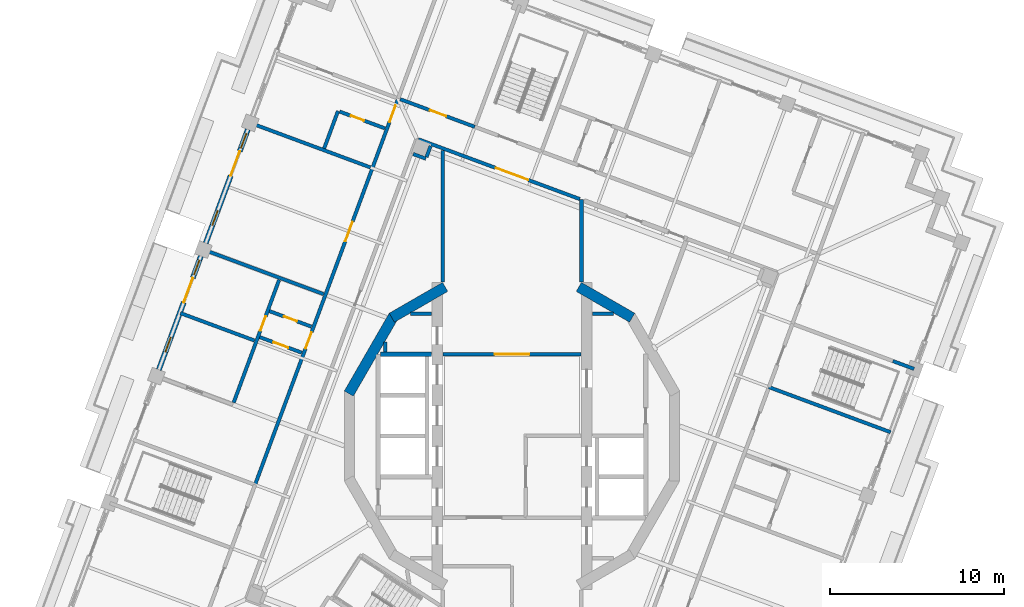
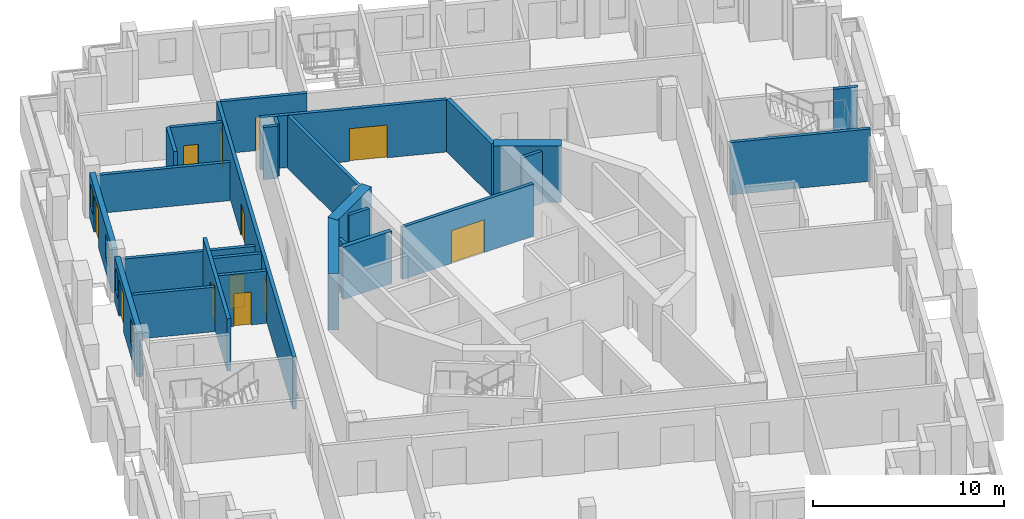
# One storey, part 7 of 18: 27 walls, 12 doors, 4 windows, 16 openings.
"""IFC4 building model written with IfcOpenShell, lengths in metres."""

from ifc_helpers import new_model, si_unit, direction, frame, frame_2d, origin, place, context, subcontext, project, spatial, rectangle, extrude, material, layer, layer_set, type_object, element, fill, save


model = new_model("IFC4")

# Units and contexts
model_context = context("Model", 3, precision=1e-05, world=origin(), true_north=direction((0.0, 1.0)))
body_context = subcontext(model_context, "Body", "Model", "MODEL_VIEW")
ifc_project = project(units=[si_unit("LENGTHUNIT", "METRE"), si_unit("AREAUNIT", "SQUARE_METRE"), si_unit("VOLUMEUNIT", "CUBIC_METRE"), si_unit("PLANEANGLEUNIT", "RADIAN"), si_unit("MASSUNIT", "GRAM", prefix="KILO")], contexts=[model_context])

# Site, building, storey
site_placement = place(None, origin())
site = spatial("IfcSite", under=ifc_project, at=site_placement, CompositionType="ELEMENT")
building_placement = place(site_placement, origin())
building = spatial("IfcBuilding", under=site, at=building_placement, Name="Cantera Rosa Tower", CompositionType="ELEMENT")
storey_placement = place(building_placement, frame((0.0, 0.0, 316.89990234375)))
storey = spatial("IfcBuildingStorey", under=building, at=storey_placement, Name="L70", CompositionType="ELEMENT", Elevation=316.89990234375)

# Wall, openings, doors
ifc_material_1 = material(Name="Gypsum board partition")
ifc_layer_1 = layer(ifc_material_1, 0.199951171875)
ifc_layer_set_1 = layer_set([ifc_layer_1], Name="CORRIDOR WALL 200 H3350")
wall_type_1 = type_object("IfcWallType", Name="CORRIDOR WALL 200 H3350", PredefinedType="PARTITIONING", material=ifc_layer_set_1)
wall_1_placement = place(storey_placement, frame((-6.5537109375, 19.438720703125, 0.0), z_axis=(0.0, 0.0, 1.0), x_axis=(-0.347483565428, -0.937686073138, 0.0)))
wall_1 = element("IfcWall", 1, at=wall_1_placement, inside=storey, type_object=wall_type_1, Name="CORRIDOR WALL L70-034", PredefinedType="PARTITIONING", context=body_context, shape_type="SweptSolid", body=[
    extrude(rectangle(XDim=23.730224609375, YDim=0.199951171875, at=frame_2d((11.865234375, 0.0))), origin(), (0.0, 0.0, 1.0), 3.35009765625),
])
opening_1_placement = place(wall_1_placement, frame((7.570068359375, 0.0, 0.0)))
opening_1 = element("IfcOpeningElement", 2, at=opening_1_placement, cuts=wall_1, Name="Opening L70-027", PredefinedType="OPENING", context=body_context, shape_type="SweptSolid", body=[
    extrude(rectangle(XDim=1.199951171875, YDim=2.10009765625, at=frame_2d((0.60009765625, 1.050048828125))), frame((0.0, 0.10986328125, 0.0), z_axis=(0.0, -1.0, 0.0), x_axis=(1.0, 0.0, 0.0)), (0.0, 0.0, 1.0), 0.219970703125),
])
opening_2_placement = place(wall_1_placement, frame((14.360107421875, 0.0, 0.0)))
opening_2 = element("IfcOpeningElement", 3, at=opening_2_placement, cuts=wall_1, Name="Opening L70-028", PredefinedType="OPENING", context=body_context, shape_type="SweptSolid", body=[
    extrude(rectangle(XDim=1.0, YDim=2.10009765625, at=frame_2d((0.5, 1.050048828125))), frame((0.0, 0.10986328125, 0.0), z_axis=(0.0, -1.0, 0.0), x_axis=(1.0, 0.0, 0.0)), (0.0, 0.0, 1.0), 0.219970703125),
])
opening_3_placement = place(wall_1_placement, frame((0.43994140625, 0.0, 0.0)))
opening_3 = element("IfcOpeningElement", 4, at=opening_3_placement, cuts=wall_1, Name="Opening L70-033", PredefinedType="OPENING", context=body_context, shape_type="SweptSolid", body=[
    extrude(rectangle(XDim=1.0, YDim=2.10009765625, at=frame_2d((0.5, 1.050048828125))), frame((0.0, 0.10986328125, 0.0), z_axis=(0.0, -1.0, 0.0), x_axis=(1.0, 0.0, 0.0)), (0.0, 0.0, 1.0), 0.219970703125),
])
ifc_material_2 = material(Name="Timber door leaf", Category="wood")
door_type_1 = type_object("IfcDoorType", Name="ENTRANCE DOOR 1000x2100", OperationType="NOTDEFINED", PredefinedType="DOOR", material=ifc_material_2)
door_1_placement = place(opening_2_placement, origin())
door_1 = element("IfcDoor", 5, at=door_1_placement, inside=storey, type_object=door_type_1, Name="DOOR L70-028", OperationType="NOTDEFINED", OverallHeight=2.10009765625, OverallWidth=1.0, PredefinedType="DOOR", context=body_context, shape_type="SweptSolid", body=[
    extrude(rectangle(XDim=1.0, YDim=2.10009765625, at=frame_2d((0.5, 1.050048828125))), frame((0.0, 0.02490234375, 0.0), z_axis=(0.0, -1.0, 0.0), x_axis=(1.0, 0.0, 0.0)), (0.0, 0.0, 1.0), 0.050048828125),
])
fill(opening_2, door_1)
door_2_placement = place(opening_3_placement, origin())
door_2 = element("IfcDoor", 6, at=door_2_placement, inside=storey, type_object=door_type_1, Name="DOOR L70-033", OperationType="NOTDEFINED", OverallHeight=2.10009765625, OverallWidth=1.0, PredefinedType="DOOR", context=body_context, shape_type="SweptSolid", body=[
    extrude(rectangle(XDim=1.0, YDim=2.10009765625, at=frame_2d((0.5, 1.050048828125))), frame((0.0, 0.02490234375, 0.0), z_axis=(0.0, -1.0, 0.0), x_axis=(1.0, 0.0, 0.0)), (0.0, 0.0, 1.0), 0.050048828125),
])
fill(opening_3, door_2)
ifc_material_3 = material(Name="Timber door leaf", Category="wood")
door_type_2 = type_object("IfcDoorType", Name="ROOM DOOR 1200x2100", OperationType="NOTDEFINED", PredefinedType="DOOR", material=ifc_material_3)
door_3_placement = place(opening_1_placement, origin())
door_3 = element("IfcDoor", 7, at=door_3_placement, inside=storey, type_object=door_type_2, Name="DOOR L70-027", OperationType="NOTDEFINED", OverallHeight=2.10009765625, OverallWidth=1.199951171875, PredefinedType="DOOR", context=body_context, shape_type="SweptSolid", body=[
    extrude(rectangle(XDim=1.199951171875, YDim=2.10009765625, at=frame_2d((0.60009765625, 1.050048828125))), frame((0.0, 0.02490234375, 0.0), z_axis=(0.0, -1.0, 0.0), x_axis=(1.0, 0.0, 0.0)), (0.0, 0.0, 1.0), 0.050048828125),
])
fill(opening_1, door_3)

# Wall
wall_2_placement = place(storey_placement, frame((-4.0, 16.4326171875, 0.0), z_axis=(0.0, 0.0, 1.0), x_axis=(0.0, -1.0, 0.0)))
element("IfcWall", 8, at=wall_2_placement, inside=storey, type_object=wall_type_1, Name="CORRIDOR WALL L70-049", PredefinedType="PARTITIONING", context=body_context, shape_type="SweptSolid", body=[
    extrude(rectangle(XDim=7.5537109375, YDim=0.199951171875, at=frame_2d((3.77685546875, 0.0))), origin(), (0.0, 0.0, 1.0), 3.35009765625),
])

# Wall, opening, door
wall_3_placement = place(storey_placement, frame((-3.969970703125, 4.699951171875, 0.0), z_axis=(0.0, 0.0, 1.0), x_axis=(1.0, 0.0, 0.0)))
wall_3 = element("IfcWall", 9, at=wall_3_placement, inside=storey, type_object=wall_type_1, Name="CORRIDOR WALL L70-050", PredefinedType="PARTITIONING", context=body_context, shape_type="SweptSolid", body=[
    extrude(rectangle(XDim=7.93994140625, YDim=0.199951171875, at=frame_2d((3.969970703125, 0.0))), origin(), (0.0, 0.0, 1.0), 3.35009765625),
])
opening_4_placement = place(wall_3_placement, frame((2.969970703125, 0.0, 0.0)))
opening_4 = element("IfcOpeningElement", 10, at=opening_4_placement, cuts=wall_3, Name="Opening L70-010", PredefinedType="OPENING", context=body_context, shape_type="SweptSolid", body=[
    extrude(rectangle(XDim=2.0, YDim=2.10009765625, at=frame_2d((1.0, 1.050048828125))), frame((0.0, 0.10986328125, 0.0), z_axis=(0.0, -1.0, 0.0), x_axis=(1.0, 0.0, 0.0)), (0.0, 0.0, 1.0), 0.219970703125),
])
ifc_material_4 = material(Name="Steel S355J2 (EN 10025-2)", Category="steel")
door_type_3 = type_object("IfcDoorType", Name="LOBBY SCREEN DOOR 2000x2100", OperationType="NOTDEFINED", PredefinedType="DOOR", material=ifc_material_4)
door_4_placement = place(opening_4_placement, origin())
door_4 = element("IfcDoor", 11, at=door_4_placement, inside=storey, type_object=door_type_3, Name="DOOR L70-010", OperationType="NOTDEFINED", OverallHeight=2.10009765625, OverallWidth=2.0, PredefinedType="DOOR", context=body_context, shape_type="SweptSolid", body=[
    extrude(rectangle(XDim=2.0, YDim=2.10009765625, at=frame_2d((1.0, 1.050048828125))), frame((0.0, 0.02490234375, 0.0), z_axis=(0.0, -1.0, 0.0), x_axis=(1.0, 0.0, 0.0)), (0.0, 0.0, 1.0), 0.050048828125),
])
fill(opening_4, door_4)

wall_4_placement = place(storey_placement, frame((-2.146728515625, 17.805419921875, 0.0), z_axis=(0.0, 0.0, 1.0), x_axis=(-0.937682514707, 0.347493167721, 0.0)))
wall_4 = element("IfcWall", 12, at=wall_4_placement, inside=storey, type_object=wall_type_1, Name="CORRIDOR WALL L70-051", PredefinedType="PARTITIONING", context=body_context, shape_type="SweptSolid", body=[
    extrude(rectangle(XDim=4.580078125, YDim=0.199951171875, at=frame_2d((2.2900390625, 0.0))), origin(), (0.0, 0.0, 1.0), 3.35009765625),
])
opening_5_placement = place(wall_4_placement, frame((1.75, 0.0, 0.0)))
opening_5 = element("IfcOpeningElement", 13, at=opening_5_placement, cuts=wall_4, Name="Opening L70-026", PredefinedType="OPENING", context=body_context, shape_type="SweptSolid", body=[
    extrude(rectangle(XDim=1.0, YDim=2.10009765625, at=frame_2d((0.5, 1.050048828125))), frame((0.0, 0.10986328125, 0.0), z_axis=(0.0, -1.0, 0.0), x_axis=(1.0, 0.0, 0.0)), (0.0, 0.0, 1.0), 0.219970703125),
])
ifc_material_5 = material(Name="Timber door leaf", Category="wood")
door_type_4 = type_object("IfcDoorType", Name="ROOM DOOR 1000x2100", OperationType="NOTDEFINED", PredefinedType="DOOR", material=ifc_material_5)
door_5_placement = place(opening_5_placement, origin())
door_5 = element("IfcDoor", 14, at=door_5_placement, inside=storey, type_object=door_type_4, Name="DOOR L70-026", OperationType="NOTDEFINED", OverallHeight=2.10009765625, OverallWidth=1.0, PredefinedType="DOOR", context=body_context, shape_type="SweptSolid", body=[
    extrude(rectangle(XDim=1.0, YDim=2.10009765625, at=frame_2d((0.5, 1.050048828125))), frame((0.0, 0.02490234375, 0.0), z_axis=(0.0, -1.0, 0.0), x_axis=(1.0, 0.0, 0.0)), (0.0, 0.0, 1.0), 0.050048828125),
])
fill(opening_5, door_5)

wall_5_placement = place(storey_placement, frame((3.90625, 13.642822265625, 0.0), z_axis=(0.0, 0.0, 1.0), x_axis=(-0.937688197535, 0.34747783268, 0.0)))
wall_5 = element("IfcWall", 15, at=wall_5_placement, inside=storey, type_object=wall_type_1, Name="CORRIDOR WALL L70-068", PredefinedType="PARTITIONING", context=body_context, shape_type="SweptSolid", body=[
    extrude(rectangle(XDim=9.922119140625, YDim=0.199951171875, at=frame_2d((4.9609375, 0.0))), origin(), (0.0, 0.0, 1.0), 3.35009765625),
])
opening_6_placement = place(wall_5_placement, frame((3.165771484375, 0.0, 0.0)))
opening_6 = element("IfcOpeningElement", 16, at=opening_6_placement, cuts=wall_5, Name="Opening L70-009", PredefinedType="OPENING", context=body_context, shape_type="SweptSolid", body=[
    extrude(rectangle(XDim=2.0, YDim=2.10009765625, at=frame_2d((1.0, 1.050048828125))), frame((0.0, 0.10986328125, 0.0), z_axis=(0.0, -1.0, 0.0), x_axis=(1.0, 0.0, 0.0)), (0.0, 0.0, 1.0), 0.219970703125),
])
door_6_placement = place(opening_6_placement, origin())
door_6 = element("IfcDoor", 17, at=door_6_placement, inside=storey, type_object=door_type_3, Name="DOOR L70-009", OperationType="NOTDEFINED", OverallHeight=2.10009765625, OverallWidth=2.0, PredefinedType="DOOR", context=body_context, shape_type="SweptSolid", body=[
    extrude(rectangle(XDim=2.0, YDim=2.10009765625, at=frame_2d((1.0, 1.050048828125))), frame((0.0, 0.02490234375, 0.0), z_axis=(0.0, -1.0, 0.0), x_axis=(1.0, 0.0, 0.0)), (0.0, 0.0, 1.0), 0.050048828125),
])
fill(opening_6, door_6)

# Wall, openings, windows, door
ifc_material_6 = material(Name="Hollow clay masonry with cantera stone cladding", Category="masonry")
ifc_layer_2 = layer(ifc_material_6, 0.300048828125)
ifc_layer_set_2 = layer_set([ifc_layer_2], Name="EW-LOGGIA 300 H2890")
wall_type_2 = type_object("IfcWallType", Name="EW-LOGGIA 300 H2890", PredefinedType="SOLIDWALL", material=ifc_layer_set_2)
wall_6_placement = place(storey_placement, frame((-15.212646484375, 17.65625, 0.0), z_axis=(0.0, 0.0, 1.0), x_axis=(-0.347502316452, -0.937679124253, 0.0)))
wall_6 = element("IfcWall", 18, at=wall_6_placement, inside=storey, type_object=wall_type_2, Name="EN-L70-W08", PredefinedType="SOLIDWALL", context=body_context, shape_type="SweptSolid", body=[
    extrude(rectangle(XDim=6.97998046875, YDim=0.300048828125, at=frame_2d((3.489990234375, 0.0))), origin(), (0.0, 0.0, 1.0), 2.89013671875),
])
opening_7_placement = place(wall_6_placement, frame((0.2451171875, 0.0, 0.89990234375)))
opening_7 = element("IfcOpeningElement", 19, at=opening_7_placement, cuts=wall_6, Name="Opening L70-W16", PredefinedType="OPENING", context=body_context, shape_type="SweptSolid", body=[
    extrude(rectangle(XDim=0.89990234375, YDim=1.5, at=frame_2d((0.449951171875, 0.75))), frame((0.0, 0.159912109375, 0.0), z_axis=(0.0, -1.0, 0.0), x_axis=(1.0, 0.0, 0.0)), (0.0, 0.0, 1.0), 0.320068359375),
])
opening_8_placement = place(wall_6_placement, frame((1.344970703125, 0.0, 0.0)))
opening_8 = element("IfcOpeningElement", 20, at=opening_8_placement, cuts=wall_6, Name="Opening L70-TD17", PredefinedType="OPENING", context=body_context, shape_type="SweptSolid", body=[
    extrude(rectangle(XDim=1.5, YDim=2.39990234375, at=frame_2d((0.75, 1.199951171875))), frame((0.0, 0.159912109375, 0.0), z_axis=(0.0, -1.0, 0.0), x_axis=(1.0, 0.0, 0.0)), (0.0, 0.0, 1.0), 0.320068359375),
])
opening_9_placement = place(wall_6_placement, frame((4.985107421875, 0.0, 0.89990234375)))
opening_9 = element("IfcOpeningElement", 21, at=opening_9_placement, cuts=wall_6, Name="Opening L70-W18", PredefinedType="OPENING", context=body_context, shape_type="SweptSolid", body=[
    extrude(rectangle(XDim=0.89990234375, YDim=1.5, at=frame_2d((0.449951171875, 0.75))), frame((0.0, 0.159912109375, 0.0), z_axis=(0.0, -1.0, 0.0), x_axis=(1.0, 0.0, 0.0)), (0.0, 0.0, 1.0), 0.320068359375),
])
ifc_material_7 = material(Name="Aluminium frame with clear glass", Category="aluminium")
window_type = type_object("IfcWindowType", Name="Residential window 900x1500", PartitioningType="SINGLE_PANEL", PredefinedType="WINDOW", material=ifc_material_7)
window_1_placement = place(opening_7_placement, origin())
window_1 = element("IfcWindow", 22, at=window_1_placement, inside=storey, type_object=window_type, Name="WINDOW L70-W16", OverallHeight=1.5, OverallWidth=0.89990234375, PartitioningType="SINGLE_PANEL", PredefinedType="WINDOW", context=body_context, shape_type="SweptSolid", body=[
    extrude(rectangle(XDim=0.89990234375, YDim=1.5, at=frame_2d((0.449951171875, 0.75))), frame((0.0, 0.030029296875, 0.0), z_axis=(0.0, -1.0, 0.0), x_axis=(1.0, 0.0, 0.0)), (0.0, 0.0, 1.0), 0.06005859375),
])
fill(opening_7, window_1)
window_2_placement = place(opening_9_placement, origin())
window_2 = element("IfcWindow", 23, at=window_2_placement, inside=storey, type_object=window_type, Name="WINDOW L70-W18", OverallHeight=1.5, OverallWidth=0.89990234375, PartitioningType="SINGLE_PANEL", PredefinedType="WINDOW", context=body_context, shape_type="SweptSolid", body=[
    extrude(rectangle(XDim=0.89990234375, YDim=1.5, at=frame_2d((0.449951171875, 0.75))), frame((0.0, 0.030029296875, 0.0), z_axis=(0.0, -1.0, 0.0), x_axis=(1.0, 0.0, 0.0)), (0.0, 0.0, 1.0), 0.06005859375),
])
fill(opening_9, window_2)
ifc_material_8 = material(Name="Aluminium frame with clear glass", Category="aluminium")
door_type_5 = type_object("IfcDoorType", Name="TD-R 1500x2400", OperationType="NOTDEFINED", PredefinedType="DOOR", material=ifc_material_8)
door_7_placement = place(opening_8_placement, origin())
door_7 = element("IfcDoor", 24, at=door_7_placement, inside=storey, type_object=door_type_5, Name="LOGGIA DOOR L70-TD17", OperationType="SLIDING_TO_LEFT", OverallHeight=2.39990234375, OverallWidth=1.5, PredefinedType="DOOR", context=body_context, shape_type="SweptSolid", body=[
    extrude(rectangle(XDim=1.5, YDim=2.39990234375, at=frame_2d((0.75, 1.199951171875))), frame((0.0, 0.02490234375, 0.0), z_axis=(0.0, -1.0, 0.0), x_axis=(1.0, 0.0, 0.0)), (0.0, 0.0, 1.0), 0.050048828125),
])
fill(opening_8, door_7)

wall_7_placement = place(storey_placement, frame((-17.916015625, 10.361083984375, 0.0), z_axis=(0.0, 0.0, 1.0), x_axis=(-0.347502316452, -0.937679124253, 0.0)))
wall_7 = element("IfcWall", 25, at=wall_7_placement, inside=storey, type_object=wall_type_2, Name="EN-L70-W09", PredefinedType="SOLIDWALL", context=body_context, shape_type="SweptSolid", body=[
    extrude(rectangle(XDim=6.97998046875, YDim=0.300048828125, at=frame_2d((3.489990234375, 0.0))), origin(), (0.0, 0.0, 1.0), 2.89013671875),
])
opening_10_placement = place(wall_7_placement, frame((0.2451171875, 0.0, 0.89990234375)))
opening_10 = element("IfcOpeningElement", 26, at=opening_10_placement, cuts=wall_7, Name="Opening L70-W19", PredefinedType="OPENING", context=body_context, shape_type="SweptSolid", body=[
    extrude(rectangle(XDim=0.89990234375, YDim=1.5, at=frame_2d((0.449951171875, 0.75))), frame((0.0, 0.159912109375, 0.0), z_axis=(0.0, -1.0, 0.0), x_axis=(1.0, 0.0, 0.0)), (0.0, 0.0, 1.0), 0.320068359375),
])
opening_11_placement = place(wall_7_placement, frame((1.344970703125, 0.0, 0.0)))
opening_11 = element("IfcOpeningElement", 27, at=opening_11_placement, cuts=wall_7, Name="Opening L70-TD20", PredefinedType="OPENING", context=body_context, shape_type="SweptSolid", body=[
    extrude(rectangle(XDim=1.5, YDim=2.39990234375, at=frame_2d((0.75, 1.199951171875))), frame((0.0, 0.159912109375, 0.0), z_axis=(0.0, -1.0, 0.0), x_axis=(1.0, 0.0, 0.0)), (0.0, 0.0, 1.0), 0.320068359375),
])
opening_12_placement = place(wall_7_placement, frame((4.985107421875, 0.0, 0.89990234375)))
opening_12 = element("IfcOpeningElement", 28, at=opening_12_placement, cuts=wall_7, Name="Opening L70-W21", PredefinedType="OPENING", context=body_context, shape_type="SweptSolid", body=[
    extrude(rectangle(XDim=0.89990234375, YDim=1.5, at=frame_2d((0.449951171875, 0.75))), frame((0.0, 0.159912109375, 0.0), z_axis=(0.0, -1.0, 0.0), x_axis=(1.0, 0.0, 0.0)), (0.0, 0.0, 1.0), 0.320068359375),
])
window_3_placement = place(opening_10_placement, origin())
window_3 = element("IfcWindow", 29, at=window_3_placement, inside=storey, type_object=window_type, Name="WINDOW L70-W19", OverallHeight=1.5, OverallWidth=0.89990234375, PartitioningType="SINGLE_PANEL", PredefinedType="WINDOW", context=body_context, shape_type="SweptSolid", body=[
    extrude(rectangle(XDim=0.89990234375, YDim=1.5, at=frame_2d((0.449951171875, 0.75))), frame((0.0, 0.030029296875, 0.0), z_axis=(0.0, -1.0, 0.0), x_axis=(1.0, 0.0, 0.0)), (0.0, 0.0, 1.0), 0.06005859375),
])
fill(opening_10, window_3)
window_4_placement = place(opening_12_placement, origin())
window_4 = element("IfcWindow", 30, at=window_4_placement, inside=storey, type_object=window_type, Name="WINDOW L70-W21", OverallHeight=1.5, OverallWidth=0.89990234375, PartitioningType="SINGLE_PANEL", PredefinedType="WINDOW", context=body_context, shape_type="SweptSolid", body=[
    extrude(rectangle(XDim=0.89990234375, YDim=1.5, at=frame_2d((0.449951171875, 0.75))), frame((0.0, 0.030029296875, 0.0), z_axis=(0.0, -1.0, 0.0), x_axis=(1.0, 0.0, 0.0)), (0.0, 0.0, 1.0), 0.06005859375),
])
fill(opening_12, window_4)
door_8_placement = place(opening_11_placement, origin())
door_8 = element("IfcDoor", 31, at=door_8_placement, inside=storey, type_object=door_type_5, Name="LOGGIA DOOR L70-TD20", OperationType="SLIDING_TO_LEFT", OverallHeight=2.39990234375, OverallWidth=1.5, PredefinedType="DOOR", context=body_context, shape_type="SweptSolid", body=[
    extrude(rectangle(XDim=1.5, YDim=2.39990234375, at=frame_2d((0.75, 1.199951171875))), frame((0.0, 0.02490234375, 0.0), z_axis=(0.0, -1.0, 0.0), x_axis=(1.0, 0.0, 0.0)), (0.0, 0.0, 1.0), 0.050048828125),
])
fill(opening_11, door_8)

# Wall
ifc_material_9 = material(Name="Gypsum board partition")
ifc_layer_3 = layer(ifc_material_9, 0.199951171875)
ifc_layer_set_3 = layer_set([ifc_layer_3], Name="PARTITION 200 H2850")
wall_type_3 = type_object("IfcWallType", Name="PARTITION 200 H2850", PredefinedType="PARTITIONING", material=ifc_layer_set_3)
wall_8_placement = place(storey_placement, frame((-14.834228515625, 5.497314453125, 0.0), z_axis=(0.0, 0.0, 1.0), x_axis=(-0.937700205551, 0.347445426663, 0.0)))
element("IfcWall", 32, at=wall_8_placement, inside=storey, type_object=wall_type_3, Name="PARTITION L70-011", PredefinedType="PARTITIONING", context=body_context, shape_type="SweptSolid", body=[
    extrude(rectangle(XDim=4.5498046875, YDim=0.199951171875, at=frame_2d((2.27490234375, 0.0))), origin(), (0.0, 0.0, 1.0), 2.85009765625),
])

# Wall, opening, door
ifc_material_10 = material(Name="Gypsum board partition")
ifc_layer_4 = layer(ifc_material_10, 0.199951171875)
ifc_layer_set_4 = layer_set([ifc_layer_4], Name="PARTITION 200 H3350")
wall_type_4 = type_object("IfcWallType", Name="PARTITION 200 H3350", PredefinedType="PARTITIONING", material=ifc_layer_set_4)
wall_9_placement = place(storey_placement, frame((-13.41162109375, 8.990478515625, 0.0), z_axis=(0.0, 0.0, 1.0), x_axis=(-0.347497846583, -0.937680780767, 0.0)))
wall_9 = element("IfcWall", 33, at=wall_9_placement, inside=storey, type_object=wall_type_4, Name="PARTITION L70-014", PredefinedType="PARTITIONING", context=body_context, shape_type="SweptSolid", body=[
    extrude(rectangle(XDim=7.5400390625, YDim=0.199951171875, at=frame_2d((3.77001953125, 0.0))), origin(), (0.0, 0.0, 1.0), 3.35009765625),
])
opening_13_placement = place(wall_9_placement, frame((2.22998046875, 0.0, 0.0)))
opening_13 = element("IfcOpeningElement", 34, at=opening_13_placement, cuts=wall_9, Name="Opening L70-031", PredefinedType="OPENING", context=body_context, shape_type="SweptSolid", body=[
    extrude(rectangle(XDim=0.89990234375, YDim=2.10009765625, at=frame_2d((0.449951171875, 1.050048828125))), frame((0.0, 0.10986328125, 0.0), z_axis=(0.0, -1.0, 0.0), x_axis=(1.0, 0.0, 0.0)), (0.0, 0.0, 1.0), 0.219970703125),
])
ifc_material_11 = material(Name="Timber door leaf", Category="wood")
door_type_6 = type_object("IfcDoorType", Name="ROOM DOOR 900x2100", OperationType="NOTDEFINED", PredefinedType="DOOR", material=ifc_material_11)
door_9_placement = place(opening_13_placement, origin())
door_9 = element("IfcDoor", 35, at=door_9_placement, inside=storey, type_object=door_type_6, Name="DOOR L70-031", OperationType="NOTDEFINED", OverallHeight=2.10009765625, OverallWidth=0.89990234375, PredefinedType="DOOR", context=body_context, shape_type="SweptSolid", body=[
    extrude(rectangle(XDim=0.89990234375, YDim=2.10009765625, at=frame_2d((0.449951171875, 1.050048828125))), frame((0.0, 0.02490234375, 0.0), z_axis=(0.0, -1.0, 0.0), x_axis=(1.0, 0.0, 0.0)), (0.0, 0.0, 1.0), 0.050048828125),
])
fill(opening_13, door_9)

wall_10_placement = place(storey_placement, frame((-12.10791015625, 4.796142578125, 0.0), z_axis=(0.0, 0.0, 1.0), x_axis=(-0.937687105286, 0.34748078016, 0.0)))
wall_10 = element("IfcWall", 36, at=wall_10_placement, inside=storey, type_object=wall_type_4, Name="PARTITION L70-016", PredefinedType="PARTITIONING", context=body_context, shape_type="SweptSolid", body=[
    extrude(rectangle(XDim=2.579833984375, YDim=0.199951171875, at=frame_2d((1.2900390625, 0.0))), origin(), (0.0, 0.0, 1.0), 3.35009765625),
])
opening_14_placement = place(wall_10_placement, frame((0.830078125, 0.0, 0.0)))
opening_14 = element("IfcOpeningElement", 37, at=opening_14_placement, cuts=wall_10, Name="Opening L70-030", PredefinedType="OPENING", context=body_context, shape_type="SweptSolid", body=[
    extrude(rectangle(XDim=0.89990234375, YDim=2.10009765625, at=frame_2d((0.449951171875, 1.050048828125))), frame((0.0, 0.10986328125, 0.0), z_axis=(0.0, -1.0, 0.0), x_axis=(1.0, 0.0, 0.0)), (0.0, 0.0, 1.0), 0.219970703125),
])
door_10_placement = place(opening_14_placement, origin())
door_10 = element("IfcDoor", 38, at=door_10_placement, inside=storey, type_object=door_type_6, Name="DOOR L70-030", OperationType="NOTDEFINED", OverallHeight=2.10009765625, OverallWidth=0.89990234375, PredefinedType="DOOR", context=body_context, shape_type="SweptSolid", body=[
    extrude(rectangle(XDim=0.89990234375, YDim=2.10009765625, at=frame_2d((0.449951171875, 1.050048828125))), frame((0.0, 0.02490234375, 0.0), z_axis=(0.0, -1.0, 0.0), x_axis=(1.0, 0.0, 0.0)), (0.0, 0.0, 1.0), 0.050048828125),
])
fill(opening_14, door_10)

wall_11_placement = place(storey_placement, frame((-11.552001953125, 6.29638671875, 0.0), z_axis=(0.0, 0.0, 1.0), x_axis=(-0.937687105286, 0.34748078016, 0.0)))
wall_11 = element("IfcWall", 39, at=wall_11_placement, inside=storey, type_object=wall_type_4, Name="PARTITION L70-017", PredefinedType="PARTITIONING", context=body_context, shape_type="SweptSolid", body=[
    extrude(rectangle(XDim=2.579833984375, YDim=0.199951171875, at=frame_2d((1.2900390625, 0.0))), origin(), (0.0, 0.0, 1.0), 3.35009765625),
])
opening_15_placement = place(wall_11_placement, frame((0.8798828125, 0.0, 0.0)))
opening_15 = element("IfcOpeningElement", 40, at=opening_15_placement, cuts=wall_11, Name="Opening L70-029", PredefinedType="OPENING", context=body_context, shape_type="SweptSolid", body=[
    extrude(rectangle(XDim=0.800048828125, YDim=2.10009765625, at=frame_2d((0.39990234375, 1.050048828125))), frame((0.0, 0.10986328125, 0.0), z_axis=(0.0, -1.0, 0.0), x_axis=(1.0, 0.0, 0.0)), (0.0, 0.0, 1.0), 0.219970703125),
])
ifc_material_12 = material(Name="Timber door leaf", Category="wood")
door_type_7 = type_object("IfcDoorType", Name="BATHROOM DOOR 800x2100", OperationType="NOTDEFINED", PredefinedType="DOOR", material=ifc_material_12)
door_11_placement = place(opening_15_placement, origin())
door_11 = element("IfcDoor", 41, at=door_11_placement, inside=storey, type_object=door_type_7, Name="DOOR L70-029", OperationType="NOTDEFINED", OverallHeight=2.10009765625, OverallWidth=0.800048828125, PredefinedType="DOOR", context=body_context, shape_type="SweptSolid", body=[
    extrude(rectangle(XDim=0.800048828125, YDim=2.10009765625, at=frame_2d((0.39990234375, 1.050048828125))), frame((0.0, 0.02490234375, 0.0), z_axis=(0.0, -1.0, 0.0), x_axis=(1.0, 0.0, 0.0)), (0.0, 0.0, 1.0), 0.050048828125),
])
fill(opening_15, door_11)

# Wall
wall_12_placement = place(storey_placement, frame((-10.8193359375, 16.5615234375, 0.0), z_axis=(0.0, 0.0, 1.0), x_axis=(0.347421525632, 0.937709061238, 0.0)))
element("IfcWall", 42, at=wall_12_placement, inside=storey, type_object=wall_type_4, Name="PARTITION L70-020", PredefinedType="PARTITIONING", context=body_context, shape_type="SweptSolid", body=[
    extrude(rectangle(XDim=2.300048828125, YDim=0.199951171875, at=frame_2d((1.14990234375, 0.0))), origin(), (0.0, 0.0, 1.0), 3.35009765625),
])

# Wall, opening, door
wall_13_placement = place(storey_placement, frame((-9.926513671875, 18.68359375, 0.0), z_axis=(0.0, 0.0, 1.0), x_axis=(0.937686247686, -0.347483094409, 0.0)))
wall_13 = element("IfcWall", 43, at=wall_13_placement, inside=storey, type_object=wall_type_4, Name="PARTITION L70-025", PredefinedType="PARTITIONING", context=body_context, shape_type="SweptSolid", body=[
    extrude(rectangle(XDim=2.7802734375, YDim=0.199951171875, at=frame_2d((1.39013671875, 0.0))), origin(), (0.0, 0.0, 1.0), 3.35009765625),
])
opening_16_placement = place(wall_13_placement, frame((0.699951171875, 0.0, 0.0)))
opening_16 = element("IfcOpeningElement", 44, at=opening_16_placement, cuts=wall_13, Name="Opening L70-034", PredefinedType="OPENING", context=body_context, shape_type="SweptSolid", body=[
    extrude(rectangle(XDim=0.800048828125, YDim=2.10009765625, at=frame_2d((0.39990234375, 1.050048828125))), frame((0.0, 0.10986328125, 0.0), z_axis=(0.0, -1.0, 0.0), x_axis=(1.0, 0.0, 0.0)), (0.0, 0.0, 1.0), 0.219970703125),
])
door_12_placement = place(opening_16_placement, origin())
door_12 = element("IfcDoor", 45, at=door_12_placement, inside=storey, type_object=door_type_7, Name="DOOR L70-034", OperationType="NOTDEFINED", OverallHeight=2.10009765625, OverallWidth=0.800048828125, PredefinedType="DOOR", context=body_context, shape_type="SweptSolid", body=[
    extrude(rectangle(XDim=0.800048828125, YDim=2.10009765625, at=frame_2d((0.39990234375, 1.050048828125))), frame((0.0, 0.02490234375, 0.0), z_axis=(0.0, -1.0, 0.0), x_axis=(1.0, 0.0, 0.0)), (0.0, 0.0, 1.0), 0.050048828125),
])
fill(opening_16, door_12)

# Walls
wall_14_placement = place(storey_placement, frame((-7.300048828125, 4.824951171875, 0.0), z_axis=(0.0, 0.0, 1.0), x_axis=(0.0, 1.0, 0.0)))
element("IfcWall", 46, at=wall_14_placement, inside=storey, type_object=wall_type_4, Name="PARTITION L70-033", PredefinedType="PARTITIONING", context=body_context, shape_type="SweptSolid", body=[
    extrude(rectangle(XDim=0.589599609375, YDim=0.199951171875, at=frame_2d((0.294921875, 0.0))), origin(), (0.0, 0.0, 1.0), 3.35009765625),
])
wall_15_placement = place(storey_placement, frame((-5.84765625, 7.050048828125, 0.0), z_axis=(0.0, 0.0, 1.0), x_axis=(1.0, 0.0, 0.0)))
element("IfcWall", 47, at=wall_15_placement, inside=storey, type_object=wall_type_4, Name="PARTITION L70-039", PredefinedType="PARTITIONING", context=body_context, shape_type="SweptSolid", body=[
    extrude(rectangle(XDim=1.2177734375, YDim=0.199951171875, at=frame_2d((0.60888671875, 0.0))), origin(), (0.0, 0.0, 1.0), 3.35009765625),
])
wall_16_placement = place(storey_placement, frame((-5.691650390625, 16.23974609375, 0.0), z_axis=(0.0, 0.0, 1.0), x_axis=(0.93771100034, -0.347416291848, 0.0)))
element("IfcWall", 48, at=wall_16_placement, inside=storey, type_object=wall_type_4, Name="PARTITION L70-040", PredefinedType="PARTITIONING", context=body_context, shape_type="SweptSolid", body=[
    extrude(rectangle(XDim=0.780029296875, YDim=0.199951171875, at=frame_2d((0.39013671875, 0.0))), origin(), (0.0, 0.0, 1.0), 3.35009765625),
])
wall_17_placement = place(storey_placement, frame((-4.925537109375, 16.0625, 0.0), z_axis=(0.0, 0.0, 1.0), x_axis=(0.347501421626, 0.937679455874, 0.0)))
element("IfcWall", 49, at=wall_17_placement, inside=storey, type_object=wall_type_4, Name="PARTITION L70-043", PredefinedType="PARTITIONING", context=body_context, shape_type="SweptSolid", body=[
    extrude(rectangle(XDim=0.68017578125, YDim=0.199951171875, at=frame_2d((0.340087890625, 0.0))), origin(), (0.0, 0.0, 1.0), 3.35009765625),
])
wall_18_placement = place(storey_placement, frame((4.6298828125, 7.050048828125, 0.0), z_axis=(0.0, 0.0, 1.0), x_axis=(1.0, 0.0, 0.0)))
element("IfcWall", 50, at=wall_18_placement, inside=storey, type_object=wall_type_4, Name="PARTITION L70-071", PredefinedType="PARTITIONING", context=body_context, shape_type="SweptSolid", body=[
    extrude(rectangle(XDim=1.2177734375, YDim=0.199951171875, at=frame_2d((0.60888671875, 0.0))), origin(), (0.0, 0.0, 1.0), 3.35009765625),
])
ifc_material_13 = material(Name="Gypsum board partition")
ifc_layer_5 = layer(ifc_material_13, 0.199951171875)
ifc_layer_set_5 = layer_set([ifc_layer_5], Name="PARTY WALL 200 H2450")
wall_type_5 = type_object("IfcWallType", Name="PARTY WALL 200 H2450", PredefinedType="PARTITIONING", material=ifc_layer_set_5)
for number, where, z_axis, x_axis, name in (
    (51, (-15.045654296875, 18.02099609375, 0.0), (0.0, 0.0, 1.0), (0.937689847803, -0.347473379308, 0.0), "PARTY WALL L70-009"),
    (52, (-10.85693359375, 8.171875, 0.0), (0.0, 0.0, 1.0), (-0.937689847803, 0.347473379308, 0.0), "PARTY WALL L70-021"),
):
    element("IfcWall", number, at=place(storey_placement, frame(where, z_axis=z_axis, x_axis=x_axis)), inside=storey, type_object=wall_type_5, Name=name, PredefinedType="PARTITIONING", context=body_context, shape_type="SweptSolid", body=[
        extrude(rectangle(XDim=7.35009765625, YDim=0.199951171875, at=frame_2d((3.675048828125, 0.0))), origin(), (0.0, 0.0, 1.0), 2.4501953125),
    ])
ifc_material_14 = material(Name="Concrete C50/60", Category="concrete")
ifc_layer_6 = layer(ifc_material_14, 0.60009765625)
ifc_layer_set_6 = layer_set([ifc_layer_6], Name="RC CORE WALL 600 C50/60")
wall_type_6 = type_object("IfcWallType", Name="RC CORE WALL 600 C50/60", PredefinedType="SHEAR", material=ifc_layer_set_6)
wall_19_placement = place(storey_placement, frame((-9.3994140625, 2.438232421875, 0.0), z_axis=(0.0, 0.0, 1.0), x_axis=(0.499989188378, 0.866031645787, 0.0)))
element("IfcWall", 53, at=wall_19_placement, inside=storey, type_object=wall_type_6, Name="CW-W4 L70", PredefinedType="SHEAR", context=body_context, shape_type="SweptSolid", body=[
    extrude(rectangle(XDim=5.17626953125, YDim=0.60009765625, at=frame_2d((2.588134765625, 0.0))), origin(), (0.0, 0.0, 1.0), 3.60009765625),
])
for number, where, z_axis, x_axis, name in (
    (54, (-6.921142578125, 6.811279296875, 0.0), (0.0, 0.0, 1.0), (0.866039982607, 0.499974747889, 0.0), "CW-W5 L70"),
    (55, (3.85009765625, 8.584228515625, 0.0), (0.0, 0.0, 1.0), (0.866039982607, -0.499974747889, 0.0), "CW-E1 L70"),
):
    element("IfcWall", number, at=place(storey_placement, frame(where, z_axis=z_axis, x_axis=x_axis)), inside=storey, type_object=wall_type_6, Name=name, PredefinedType="SHEAR", context=body_context, shape_type="SweptSolid", body=[
        extrude(rectangle(XDim=3.546142578125, YDim=0.60009765625, at=frame_2d((1.77294921875, 0.0))), origin(), (0.0, 0.0, 1.0), 3.60009765625),
    ])
ifc_material_15 = material(Name="Masonry blockwork", Category="masonry")
ifc_layer_7 = layer(ifc_material_15, 0.25)
ifc_layer_set_7 = layer_set([ifc_layer_7], Name="SHAFT WALL 250 H3350")
wall_type_7 = type_object("IfcWallType", Name="SHAFT WALL 250 H3350", PredefinedType="SOLIDWALL", material=ifc_layer_set_7)
wall_20_placement = place(storey_placement, frame((-7.580078125, 4.699951171875, 0.0), z_axis=(0.0, 0.0, 1.0), x_axis=(1.0, 0.0, 0.0)))
element("IfcWall", 56, at=wall_20_placement, inside=storey, type_object=wall_type_7, Name="SHAFT WALL L70-032", PredefinedType="SOLIDWALL", context=body_context, shape_type="SweptSolid", body=[
    extrude(rectangle(XDim=2.9501953125, YDim=0.25, at=frame_2d((1.47509765625, 0.0))), origin(), (0.0, 0.0, 1.0), 3.35009765625),
])
wall_21_placement = place(storey_placement, frame((4.0, 8.87890625, 0.0), z_axis=(0.0, 0.0, 1.0), x_axis=(0.0, 1.0, 0.0)))
element("IfcWall", 57, at=wall_21_placement, inside=storey, type_object=wall_type_7, Name="SHAFT WALL L70-067", PredefinedType="SOLIDWALL", context=body_context, shape_type="SweptSolid", body=[
    extrude(rectangle(XDim=4.72900390625, YDim=0.25, at=frame_2d((2.364501953125, 0.0))), origin(), (0.0, 0.0, 1.0), 3.35009765625),
])
ifc_material_16 = material(Name="Concrete C50/60", Category="concrete")
ifc_layer_8 = layer(ifc_material_16, 0.199951171875)
ifc_layer_set_8 = layer_set([ifc_layer_8], Name="STAIR WALL 200 H3350")
wall_type_8 = type_object("IfcWallType", Name="STAIR WALL 200 H3350", PredefinedType="SOLIDWALL", material=ifc_layer_set_8)
wall_22_placement = place(storey_placement, frame((14.799560546875, 2.812744140625, 0.0), z_axis=(0.0, 0.0, 1.0), x_axis=(0.93768803379, -0.347478274555, 0.0)))
element("IfcWall", 58, at=wall_22_placement, inside=storey, type_object=wall_type_8, Name="STAIR WALL L70-094", PredefinedType="SOLIDWALL", context=body_context, shape_type="SweptSolid", body=[
    extrude(rectangle(XDim=7.47021484375, YDim=0.199951171875, at=frame_2d((3.735107421875, 0.0))), origin(), (0.0, 0.0, 1.0), 3.35009765625),
])
wall_23_placement = place(storey_placement, frame((23.15576171875, 3.864501953125, 0.0), z_axis=(0.0, 0.0, 1.0), x_axis=(-0.937642248704, 0.347601802994, 0.0)))
element("IfcWall", 59, at=wall_23_placement, inside=storey, type_object=wall_type_8, Name="STAIR WALL L70-104", PredefinedType="SOLIDWALL", context=body_context, shape_type="SweptSolid", body=[
    extrude(rectangle(XDim=1.300048828125, YDim=0.199951171875, at=frame_2d((0.64990234375, 0.0))), origin(), (0.0, 0.0, 1.0), 3.35009765625),
])

save(model, "model.ifc")
